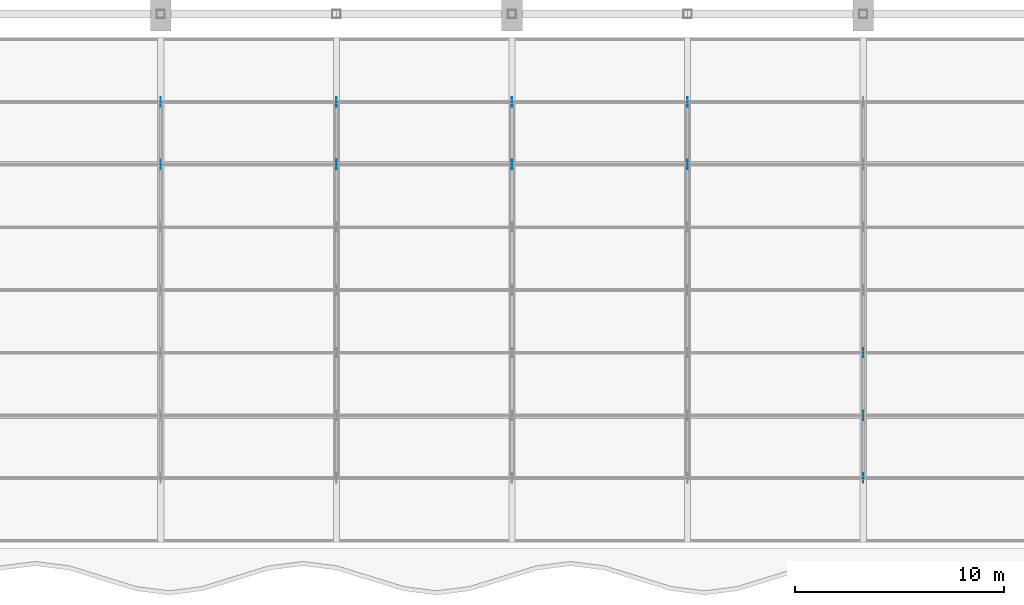
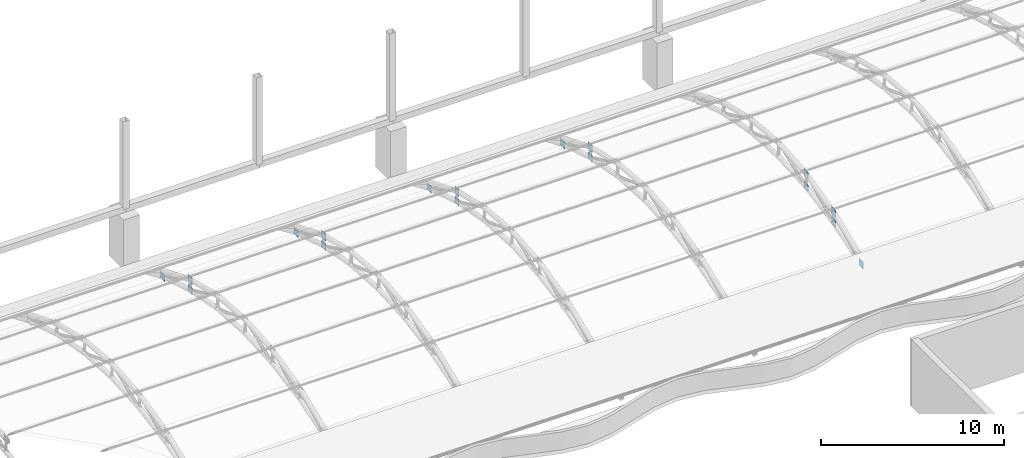
# One storey, part 139 of 163: 17 discrete accessories.
"""IFC4 building model written with IfcOpenShell, lengths in metres."""

from ifc_helpers import new_model, si_unit, direction, frame, origin, origin_2d, place, context, subcontext, project, spatial, rectangle, extrude, material, layer, layer_set, type_object, element, save


model = new_model("IFC4")

# Units and contexts
model_context = context("Model", 3, precision=1e-05, world=origin(), true_north=direction((0.0, 1.0)))
body_context = subcontext(model_context, "Body", "Model", "MODEL_VIEW")
ifc_project = project(units=[si_unit("LENGTHUNIT", "METRE"), si_unit("AREAUNIT", "SQUARE_METRE"), si_unit("VOLUMEUNIT", "CUBIC_METRE"), si_unit("PLANEANGLEUNIT", "RADIAN"), si_unit("MASSUNIT", "GRAM", prefix="KILO")], contexts=[model_context])

# Site, building, storey
site_placement = place(None, origin())
site = spatial("IfcSite", under=ifc_project, at=site_placement, CompositionType="ELEMENT")
building_placement = place(site_placement, origin())
building = spatial("IfcBuilding", under=site, at=building_placement, Name="Rain Tree Exposition and Congress Centre", CompositionType="ELEMENT")
storey_placement = place(building_placement, frame((0.0, 0.0, 10.5)))
storey = spatial("IfcBuildingStorey", under=building, at=storey_placement, Name="L02", CompositionType="ELEMENT", Elevation=10.5)

# Discrete accessories
ifc_material = material(Name="Steel plate S355J2", Category="steel")
ifc_layer = layer(ifc_material, 0.02001953125)
ifc_layer_set = layer_set([ifc_layer], Name="Steel plate S355J2")
discrete_accessory_type = type_object("IfcDiscreteAccessoryType", Name="Brace node plate 450x450x20", PredefinedType="BRACKET", material=ifc_layer_set)
for number, where, z_axis, x_axis, name in (
    (1, (159.60009765625, 93.60009765625, 2.15478515625), (0.0, 0.0, 1.0), (0.0, -1.0, 0.0), "Brace node plate 450"),
    (2, (159.60009765625, 96.60009765625, 1.21728515625), (0.0, 0.0, 1.0), (0.0, -1.0, 0.0), "Brace node plate 450"),
    (3, (159.60009765625, 93.60009765625, 2.830078125), (0.0, 0.0, 1.0), (0.0, 1.0, 0.0), "Brace node plate 450"),
    (4, (168.0, 93.60009765625, 2.15478515625), (0.0, 0.0, 1.0), (0.0, -1.0, 0.0), "Brace node plate 450"),
    (5, (168.0, 96.60009765625, 1.21728515625), (0.0, 0.0, 1.0), (0.0, -1.0, 0.0), "Brace node plate 450"),
    (6, (168.0, 93.60009765625, 2.830078125), (0.0, 0.0, 1.0), (0.0, 1.0, 0.0), "Brace node plate 450"),
    (7, (176.39990234375, 93.60009765625, 2.15478515625), (0.0, 0.0, 1.0), (0.0, -1.0, 0.0), "Brace node plate 450"),
    (8, (176.39990234375, 96.60009765625, 1.21728515625), (0.0, 0.0, 1.0), (0.0, -1.0, 0.0), "Brace node plate 450"),
    (9, (176.39990234375, 93.60009765625, 2.830078125), (0.0, 0.0, 1.0), (0.0, 1.0, 0.0), "Brace node plate 450"),
    (10, (184.800048828125, 93.60009765625, 2.15478515625), (0.0, 0.0, 1.0), (0.0, -1.0, 0.0), "Brace node plate 450"),
    (11, (184.800048828125, 96.60009765625, 1.21728515625), (0.0, 0.0, 1.0), (0.0, -1.0, 0.0), "Brace node plate 450"),
    (12, (184.800048828125, 93.60009765625, 2.830078125), (0.0, 0.0, 1.0), (0.0, 1.0, 0.0), "Brace node plate 450"),
    (13, (193.199951171875, 78.60009765625, 1.21728515625), (0.0, 0.0, 1.0), (0.0, 1.0, 0.0), "Brace node plate 450"),
    (14, (193.199951171875, 81.60009765625, 2.830078125), (0.0, 0.0, 1.0), (0.0, -1.0, 0.0), "Brace node plate 450"),
    (15, (193.199951171875, 81.60009765625, 2.15478515625), (0.0, 0.0, 1.0), (0.0, 1.0, 0.0), "Brace node plate 450"),
    (16, (193.199951171875, 84.60009765625, 3.5615234375), (0.0, 0.0, 1.0), (0.0, -1.0, 0.0), "Brace node plate 450"),
    (17, (193.199951171875, 84.60009765625, 2.71728515625), (0.0, 0.0, 1.0), (0.0, 1.0, 0.0), "Brace node plate 450"),
):
    element("IfcDiscreteAccessory", number, at=place(storey_placement, frame(where, z_axis=z_axis, x_axis=x_axis)), inside=storey, type_object=discrete_accessory_type, Name=name, PredefinedType="BRACKET", context=body_context, shape_type="SweptSolid", body=[
        extrude(rectangle(XDim=0.449951171875, YDim=0.02001953125, at=origin_2d()), origin(), (0.0, 0.0, 1.0), 0.449951171875),
    ])

save(model, "model.ifc")
